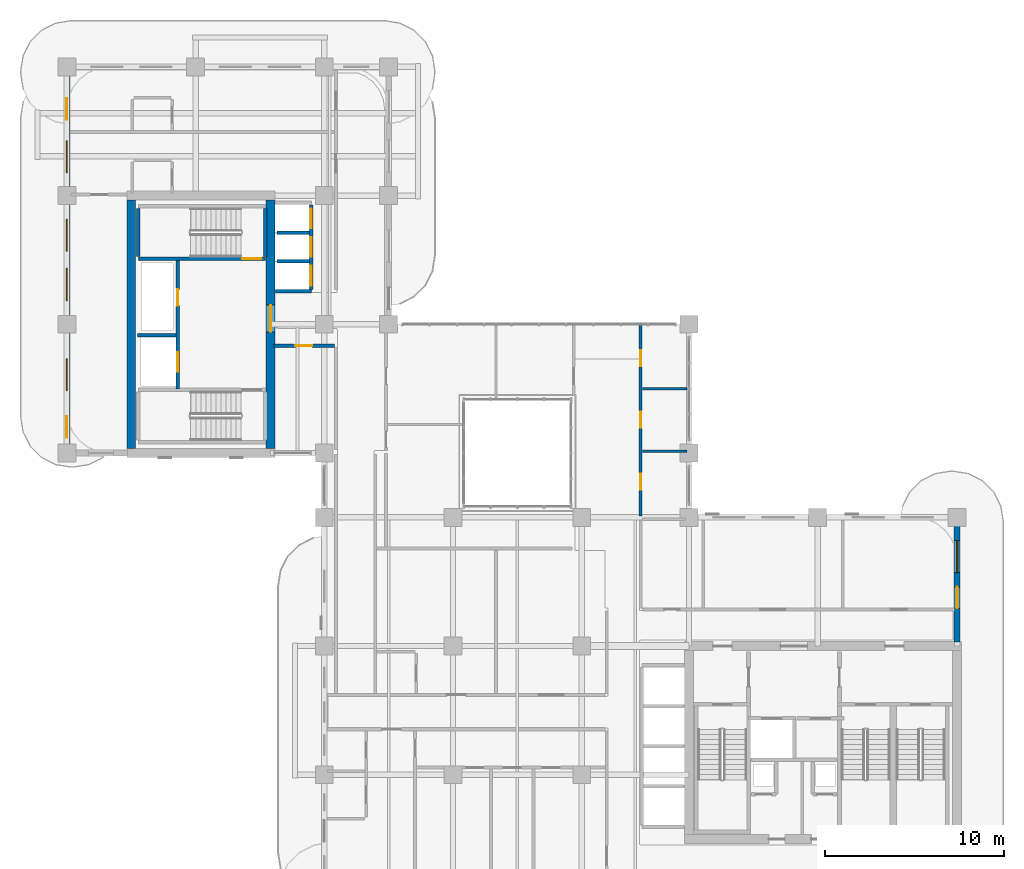
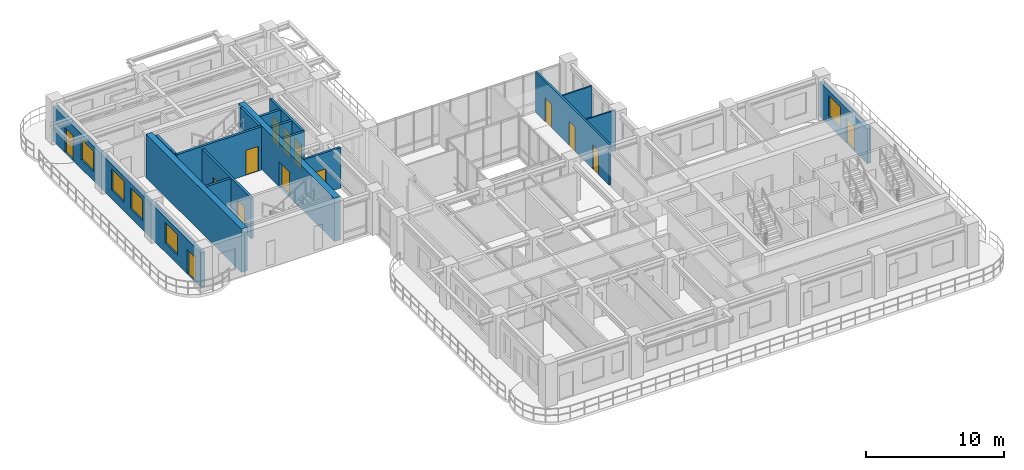
# One storey, part 14 of 20: 17 walls, 14 doors, 5 windows, 19 openings.
"""IFC4 building model written with IfcOpenShell, lengths in metres."""

from ifc_helpers import new_model, si_unit, derived_unit, direction, frame, frame_2d, origin, place, context, subcontext, project, spatial, rectangle, extrude, source, transform, mapped, material, layer, layer_set, type_object, type_shapes, element, fill, save


model = new_model("IFC4")

# Units and contexts
model_context = context("Model", 3, precision=1e-05, world=origin(), true_north=direction((0.0, 1.0)))
body_context = subcontext(model_context, "Body", "Model", "MODEL_VIEW")
ifc_project = project(units=[si_unit("LENGTHUNIT", "METRE"), si_unit("AREAUNIT", "SQUARE_METRE"), si_unit("VOLUMEUNIT", "CUBIC_METRE"), si_unit("PLANEANGLEUNIT", "RADIAN"), si_unit("MASSUNIT", "GRAM", prefix="KILO"), si_unit("THERMODYNAMICTEMPERATUREUNIT", "KELVIN"), si_unit("POWERUNIT", "WATT"), derived_unit("THERMALTRANSMITTANCEUNIT", [(si_unit("POWERUNIT", "WATT"), 1), (si_unit("AREAUNIT", "SQUARE_METRE"), -1), (si_unit("THERMODYNAMICTEMPERATUREUNIT", "KELVIN"), -1)])], contexts=[model_context])

# Site, building, storey
site_placement = place(None, origin())
site = spatial("IfcSite", under=ifc_project, at=site_placement, CompositionType="ELEMENT")
building_placement = place(site_placement, origin())
building = spatial("IfcBuilding", under=site, at=building_placement, Name="Zahravan Archway Hotel and Residences", CompositionType="ELEMENT")
storey_placement = place(building_placement, frame((0.0, 0.0, 177.25)))
storey = spatial("IfcBuildingStorey", under=building, at=storey_placement, Name="L44", CompositionType="ELEMENT", Elevation=177.25)

# Wall
ifc_material_1 = material(Name="Concrete C60/75", Category="concrete")
ifc_layer_1 = layer(ifc_material_1, 0.5, Name="Concrete C60/75", Category="concrete")
ifc_layer_set_1 = layer_set([ifc_layer_1], Name="Concrete C60/75")
wall_type_1 = type_object("IfcWallType", Name="CW-CORE-500", PredefinedType="SHEAR", material=ifc_layer_set_1)
wall_1_placement = place(storey_placement, frame((3.60009765625, 25.449951171875, 0.0), z_axis=(0.0, 0.0, 1.0), x_axis=(0.0, 1.0, 0.0)))
element("IfcWall", 1, at=wall_1_placement, inside=storey, type_object=wall_type_1, Name="L44 Core B Shear W Wall 500 mm", PredefinedType="SHEAR", context=body_context, shape_type="SweptSolid", body=[
    extrude(rectangle(XDim=13.900146484375, YDim=0.5, at=frame_2d((6.9501953125, 0.0))), origin(), (0.0, 0.0, 1.0), 3.85009765625),
])

# Wall, opening, door
wall_2_placement = place(storey_placement, frame((11.39990234375, 25.449951171875, 0.0), z_axis=(0.0, 0.0, 1.0), x_axis=(0.0, 1.0, 0.0)))
wall_2 = element("IfcWall", 2, at=wall_2_placement, inside=storey, type_object=wall_type_1, Name="L44 Core B Shear E Wall 500 mm", PredefinedType="SHEAR", context=body_context, shape_type="SweptSolid", body=[
    extrude(rectangle(XDim=13.900146484375, YDim=0.5, at=frame_2d((6.9501953125, 0.0))), origin(), (0.0, 0.0, 1.0), 3.85009765625),
])
opening_1_placement = place(wall_2_placement, frame((6.52001953125, 0.0, 0.0)))
opening_1 = element("IfcOpeningElement", 3, at=opening_1_placement, cuts=wall_2, Name="Opening FD-L1", PredefinedType="OPENING", context=body_context, shape_type="SweptSolid", body=[
    extrude(rectangle(XDim=1.5, YDim=2.199951171875, at=frame_2d((0.75, 1.10009765625))), frame((0.0, 0.260009765625, 0.0), z_axis=(0.0, -1.0, 0.0), x_axis=(1.0, 0.0, 0.0)), (0.0, 0.0, 1.0), 0.52001953125),
])
ifc_material_2 = material(Name="Fire-Rated Painted Steel", Category="steel")
door_type_1 = type_object("IfcDoorType", Name="FD-LOBBY-1500", OperationType="DOUBLE_DOOR_SINGLE_SWING", PredefinedType="DOOR", material=ifc_material_2)
shared_shape_1 = source(origin(), body_context, "Body", "SweptSolid", [
    extrude(rectangle(XDim=1.5, YDim=2.199951171875, at=frame_2d((0.75, 1.10009765625))), frame((0.0, 0.02490234375, 0.0), z_axis=(0.0, -1.0, 0.0), x_axis=(1.0, 0.0, 0.0)), (0.0, 0.0, 1.0), 0.050048828125),
])
type_shapes(door_type_1, [shared_shape_1])
door_1_placement = place(opening_1_placement, origin())
door_1 = element("IfcDoor", 4, at=door_1_placement, inside=storey, type_object=door_type_1, Name="L44 Core B FSAE Lobby Door", OperationType="DOUBLE_DOOR_SINGLE_SWING", OverallHeight=2.199951171875, OverallWidth=1.5, PredefinedType="DOOR", context=body_context, shape_type="MappedRepresentation", body=[
    mapped(shared_shape_1, transform((0.0, 0.0, 0.0), scale=1.0)),
])
fill(opening_1, door_1)

# Wall, openings, door, window
ifc_material_3 = material(Name="Agra Buff Sandstone & Insulated Backup", Category="masonry")
ifc_layer_2 = layer(ifc_material_3, 0.320068359375, Name="Agra Buff Sandstone & Insulated Backup", Category="masonry")
ifc_layer_set_2 = layer_set([ifc_layer_2], Name="Agra Buff Sandstone & Insulated Backup")
wall_type_2 = type_object("IfcWallType", Name="EW-SAND-320", PredefinedType="SOLIDWALL", material=ifc_layer_set_2)
wall_3_placement = place(storey_placement, frame((49.800048828125, 14.6201171875, 0.0), z_axis=(0.0, 0.0, 1.0), x_axis=(0.0, 1.0, 0.0)))
wall_3 = element("IfcWall", 5, at=wall_3_placement, inside=storey, type_object=wall_type_2, Name="L44 Exterior Sandstone Wall WA-EN", PredefinedType="SOLIDWALL", context=body_context, shape_type="SweptSolid", body=[
    extrude(rectangle(XDim=6.929931640625, YDim=0.320068359375, at=frame_2d((3.46484375, 0.0))), origin(), (0.0, 0.0, 1.0), 3.0849609375),
])
opening_2_placement = place(wall_3_placement, frame((1.888916015625, 0.0, 0.0)))
opening_2 = element("IfcOpeningElement", 6, at=opening_2_placement, cuts=wall_3, Name="Opening ED-BL1", PredefinedType="OPENING", context=body_context, shape_type="SweptSolid", body=[
    extrude(rectangle(XDim=1.199951171875, YDim=2.199951171875, at=frame_2d((0.60009765625, 1.10009765625))), frame((0.0, 0.169921875, 0.0), z_axis=(0.0, -1.0, 0.0), x_axis=(1.0, 0.0, 0.0)), (0.0, 0.0, 1.0), 0.340087890625),
])
opening_3_placement = place(wall_3_placement, frame((3.884033203125, 0.0, 0.800048828125)))
opening_3 = element("IfcOpeningElement", 7, at=opening_3_placement, cuts=wall_3, Name="Opening W-02", PredefinedType="OPENING", context=body_context, shape_type="SweptSolid", body=[
    extrude(rectangle(XDim=1.800048828125, YDim=1.85009765625, at=frame_2d((0.89990234375, 0.925048828125))), frame((0.0, 0.169921875, 0.0), z_axis=(0.0, -1.0, 0.0), x_axis=(1.0, 0.0, 0.0)), (0.0, 0.0, 1.0), 0.340087890625),
])
ifc_material_4 = material(Name="Bronze-Anodized Glazed Aluminium", Category="aluminium")
door_type_2 = type_object("IfcDoorType", Name="ED-BALC-1200", OperationType="SLIDING_TO_LEFT", PredefinedType="DOOR", material=ifc_material_4)
shared_shape_2 = source(origin(), body_context, "Body", "SweptSolid", [
    extrude(rectangle(XDim=1.199951171875, YDim=2.199951171875, at=frame_2d((0.60009765625, 1.10009765625))), frame((0.0, 0.02490234375, 0.0), z_axis=(0.0, -1.0, 0.0), x_axis=(1.0, 0.0, 0.0)), (0.0, 0.0, 1.0), 0.050048828125),
])
type_shapes(door_type_2, [shared_shape_2])
door_2_placement = place(opening_2_placement, origin())
door_2 = element("IfcDoor", 8, at=door_2_placement, inside=storey, type_object=door_type_2, Name="L44 Outdoor Access Sliding Door (SLB-BAL-L44-EA)", OperationType="SLIDING_TO_LEFT", OverallHeight=2.199951171875, OverallWidth=1.199951171875, PredefinedType="DOOR", context=body_context, shape_type="MappedRepresentation", body=[
    mapped(shared_shape_2, transform((0.0, 0.0, 0.0), scale=1.0)),
])
fill(opening_2, door_2)
ifc_material_5 = material(Name="Bronze-Anodized Thermal-Break Aluminium & Low-E Glass", Category="aluminium")
window_type = type_object("IfcWindowType", Name="WIN-TWR-1800", PartitioningType="DOUBLE_PANEL_VERTICAL", PredefinedType="WINDOW", material=ifc_material_5)
shared_shape_3 = source(origin(), body_context, "Body", "SweptSolid", [
    extrude(rectangle(XDim=1.800048828125, YDim=1.85009765625, at=frame_2d((0.89990234375, 0.925048828125))), frame((0.0, 0.030029296875, 0.0), z_axis=(0.0, -1.0, 0.0), x_axis=(1.0, 0.0, 0.0)), (0.0, 0.0, 1.0), 0.06005859375),
])
type_shapes(window_type, [shared_shape_3])
window_1_placement = place(opening_3_placement, origin())
window_1 = element("IfcWindow", 9, at=window_1_placement, inside=storey, type_object=window_type, Name="L44 Loggia Window 11", OverallHeight=1.85009765625, OverallWidth=1.800048828125, PartitioningType="DOUBLE_PANEL_VERTICAL", PredefinedType="WINDOW", context=body_context, shape_type="MappedRepresentation", body=[
    mapped(shared_shape_3, transform((0.0, 0.0, 0.0), scale=1.0)),
])
fill(opening_3, window_1)

# Wall, openings, doors, windows
wall_4_placement = place(storey_placement, frame((0.0, 25.25, 0.0), z_axis=(0.0, 0.0, 1.0), x_axis=(0.0, 1.0, 0.0)))
wall_4 = element("IfcWall", 10, at=wall_4_placement, inside=storey, type_object=wall_type_2, Name="L44 Exterior Sandstone Wall WB-W", PredefinedType="SOLIDWALL", context=body_context, shape_type="SweptSolid", body=[
    extrude(rectangle(XDim=21.5, YDim=0.320068359375, at=frame_2d((10.75, 0.0))), origin(), (0.0, 0.0, 1.0), 3.0849609375),
])
opening_4_placement = place(wall_4_placement, frame((18.60693359375, 0.0, 0.0)))
opening_4 = element("IfcOpeningElement", 11, at=opening_4_placement, cuts=wall_4, Name="Opening ED-BL1", PredefinedType="OPENING", context=body_context, shape_type="SweptSolid", body=[
    extrude(rectangle(XDim=1.199951171875, YDim=2.199951171875, at=frame_2d((0.60009765625, 1.10009765625))), frame((0.0, 0.169921875, 0.0), z_axis=(0.0, -1.0, 0.0), x_axis=(1.0, 0.0, 0.0)), (0.0, 0.0, 1.0), 0.340087890625),
])
opening_5_placement = place(wall_4_placement, frame((0.800048828125, 0.0, 0.0)))
opening_5 = element("IfcOpeningElement", 12, at=opening_5_placement, cuts=wall_4, Name="Opening ED-BL1", PredefinedType="OPENING", context=body_context, shape_type="SweptSolid", body=[
    extrude(rectangle(XDim=1.199951171875, YDim=2.199951171875, at=frame_2d((0.60009765625, 1.10009765625))), frame((0.0, 0.169921875, 0.0), z_axis=(0.0, -1.0, 0.0), x_axis=(1.0, 0.0, 0.0)), (0.0, 0.0, 1.0), 0.340087890625),
])
opening_6_placement = place(wall_4_placement, frame((3.425048828125, 0.0, 0.800048828125)))
opening_6 = element("IfcOpeningElement", 13, at=opening_6_placement, cuts=wall_4, Name="Opening W-02", PredefinedType="OPENING", context=body_context, shape_type="SweptSolid", body=[
    extrude(rectangle(XDim=1.800048828125, YDim=1.85009765625, at=frame_2d((0.89990234375, 0.925048828125))), frame((0.0, 0.169921875, 0.0), z_axis=(0.0, -1.0, 0.0), x_axis=(1.0, 0.0, 0.0)), (0.0, 0.0, 1.0), 0.340087890625),
])
opening_7_placement = place(wall_4_placement, frame((8.47509765625, 0.0, 0.800048828125)))
opening_7 = element("IfcOpeningElement", 14, at=opening_7_placement, cuts=wall_4, Name="Opening W-02", PredefinedType="OPENING", context=body_context, shape_type="SweptSolid", body=[
    extrude(rectangle(XDim=1.800048828125, YDim=1.85009765625, at=frame_2d((0.89990234375, 0.925048828125))), frame((0.0, 0.169921875, 0.0), z_axis=(0.0, -1.0, 0.0), x_axis=(1.0, 0.0, 0.0)), (0.0, 0.0, 1.0), 0.340087890625),
])
opening_8_placement = place(wall_4_placement, frame((11.22509765625, 0.0, 0.800048828125)))
opening_8 = element("IfcOpeningElement", 15, at=opening_8_placement, cuts=wall_4, Name="Opening W-02", PredefinedType="OPENING", context=body_context, shape_type="SweptSolid", body=[
    extrude(rectangle(XDim=1.800048828125, YDim=1.85009765625, at=frame_2d((0.89990234375, 0.925048828125))), frame((0.0, 0.169921875, 0.0), z_axis=(0.0, -1.0, 0.0), x_axis=(1.0, 0.0, 0.0)), (0.0, 0.0, 1.0), 0.340087890625),
])
opening_9_placement = place(wall_4_placement, frame((15.62109375, 0.0, 0.800048828125)))
opening_9 = element("IfcOpeningElement", 16, at=opening_9_placement, cuts=wall_4, Name="Opening W-02", PredefinedType="OPENING", context=body_context, shape_type="SweptSolid", body=[
    extrude(rectangle(XDim=1.800048828125, YDim=1.85009765625, at=frame_2d((0.89990234375, 0.925048828125))), frame((0.0, 0.169921875, 0.0), z_axis=(0.0, -1.0, 0.0), x_axis=(1.0, 0.0, 0.0)), (0.0, 0.0, 1.0), 0.340087890625),
])
door_3_placement = place(opening_4_placement, origin())
door_3 = element("IfcDoor", 17, at=door_3_placement, inside=storey, type_object=door_type_2, Name="L44 Outdoor Access Sliding Door (SLB-BAL-L44-NB)", OperationType="SLIDING_TO_LEFT", OverallHeight=2.199951171875, OverallWidth=1.199951171875, PredefinedType="DOOR", context=body_context, shape_type="MappedRepresentation", body=[
    mapped(shared_shape_2, transform((0.0, 0.0, 0.0), scale=1.0)),
])
fill(opening_4, door_3)
door_4_placement = place(opening_5_placement, origin())
door_4 = element("IfcDoor", 18, at=door_4_placement, inside=storey, type_object=door_type_2, Name="L44 Outdoor Access Sliding Door (SLB-BAL-L44-WB)", OperationType="SLIDING_TO_LEFT", OverallHeight=2.199951171875, OverallWidth=1.199951171875, PredefinedType="DOOR", context=body_context, shape_type="MappedRepresentation", body=[
    mapped(shared_shape_2, transform((0.0, 0.0, 0.0), scale=1.0)),
])
fill(opening_5, door_4)
window_2_placement = place(opening_6_placement, origin())
window_2 = element("IfcWindow", 19, at=window_2_placement, inside=storey, type_object=window_type, Name="L44 Loggia Window 23", OverallHeight=1.85009765625, OverallWidth=1.800048828125, PartitioningType="DOUBLE_PANEL_VERTICAL", PredefinedType="WINDOW", context=body_context, shape_type="MappedRepresentation", body=[
    mapped(shared_shape_3, transform((0.0, 0.0, 0.0), scale=1.0)),
])
fill(opening_6, window_2)
window_3_placement = place(opening_7_placement, origin())
window_3 = element("IfcWindow", 20, at=window_3_placement, inside=storey, type_object=window_type, Name="L44 Loggia Window 24", OverallHeight=1.85009765625, OverallWidth=1.800048828125, PartitioningType="DOUBLE_PANEL_VERTICAL", PredefinedType="WINDOW", context=body_context, shape_type="MappedRepresentation", body=[
    mapped(shared_shape_3, transform((0.0, 0.0, 0.0), scale=1.0)),
])
fill(opening_7, window_3)
window_4_placement = place(opening_8_placement, origin())
window_4 = element("IfcWindow", 21, at=window_4_placement, inside=storey, type_object=window_type, Name="L44 Loggia Window 25", OverallHeight=1.85009765625, OverallWidth=1.800048828125, PartitioningType="DOUBLE_PANEL_VERTICAL", PredefinedType="WINDOW", context=body_context, shape_type="MappedRepresentation", body=[
    mapped(shared_shape_3, transform((0.0, 0.0, 0.0), scale=1.0)),
])
fill(opening_8, window_4)
window_5_placement = place(opening_9_placement, origin())
window_5 = element("IfcWindow", 22, at=window_5_placement, inside=storey, type_object=window_type, Name="L44 Loggia Window 26", OverallHeight=1.85009765625, OverallWidth=1.800048828125, PartitioningType="DOUBLE_PANEL_VERTICAL", PredefinedType="WINDOW", context=body_context, shape_type="MappedRepresentation", body=[
    mapped(shared_shape_3, transform((0.0, 0.0, 0.0), scale=1.0)),
])
fill(opening_9, window_5)

# Walls
ifc_material_6 = material(Name="Acoustic Stud Partition")
ifc_layer_3 = layer(ifc_material_6, 0.125, Name="Acoustic Stud Partition")
ifc_layer_set_3 = layer_set([ifc_layer_3], Name="Acoustic Stud Partition")
wall_type_3 = type_object("IfcWallType", Name="PW-INT-125", PredefinedType="PARTITIONING", material=ifc_layer_set_3)
for number, where, z_axis, x_axis, name in (
    (23, (32.18994140625, 25.300048828125, 0.0), (0.0, 0.0, 1.0), (1.0, 0.0, 0.0), "L44 Partition ATR-EM3A"),
    (24, (32.18994140625, 28.800048828125, 0.0), (0.0, 0.0, 1.0), (1.0, 0.0, 0.0), "L44 Partition ATR-EM3B"),
):
    element("IfcWall", number, at=place(storey_placement, frame(where, z_axis=z_axis, x_axis=x_axis)), inside=storey, type_object=wall_type_3, Name=name, PredefinedType="PARTITIONING", context=body_context, shape_type="SweptSolid", body=[
        extrude(rectangle(XDim=2.5, YDim=0.125, at=frame_2d((1.25, 0.0))), origin(), (0.0, 0.0, 1.0), 3.60009765625),
    ])

# Wall, openings, doors
ifc_material_7 = material(Name="Fire-Rated Gypsum & Concrete Block", Category="concrete")
ifc_layer_4 = layer(ifc_material_7, 0.199951171875, Name="Fire-Rated Gypsum & Concrete Block", Category="concrete")
ifc_layer_set_4 = layer_set([ifc_layer_4], Name="Fire-Rated Gypsum & Concrete Block")
wall_type_4 = type_object("IfcWallType", Name="PW-SHAFT-200", PredefinedType="PARTITIONING", material=ifc_layer_set_4)
wall_5_placement = place(storey_placement, frame((6.199951171875, 28.7900390625, 0.0), z_axis=(0.0, 0.0, 1.0), x_axis=(0.0, 1.0, 0.0)))
wall_5 = element("IfcWall", 25, at=wall_5_placement, inside=storey, type_object=wall_type_4, Name="L44 Partition CB-FL3E", PredefinedType="PARTITIONING", context=body_context, shape_type="SweptSolid", body=[
    extrude(rectangle(XDim=7.219970703125, YDim=0.199951171875, at=frame_2d((3.60986328125, 0.0))), origin(), (0.0, 0.0, 1.0), 3.60009765625),
])
opening_10_placement = place(wall_5_placement, frame((4.659912109375, 0.0, 0.0)))
opening_10 = element("IfcOpeningElement", 26, at=opening_10_placement, cuts=wall_5, Name="Opening FD-R1", PredefinedType="OPENING", context=body_context, shape_type="SweptSolid", body=[
    extrude(rectangle(XDim=0.89990234375, YDim=2.10009765625, at=frame_2d((0.449951171875, 1.050048828125))), frame((0.0, 0.10986328125, 0.0), z_axis=(0.0, -1.0, 0.0), x_axis=(1.0, 0.0, 0.0)), (0.0, 0.0, 1.0), 0.219970703125),
])
opening_11_placement = place(wall_5_placement, frame((0.9599609375, 0.0, 0.0)))
opening_11 = element("IfcOpeningElement", 27, at=opening_11_placement, cuts=wall_5, Name="Opening LD", PredefinedType="OPENING", context=body_context, shape_type="SweptSolid", body=[
    extrude(rectangle(XDim=1.10009765625, YDim=2.199951171875, at=frame_2d((0.550048828125, 1.10009765625))), frame((0.0, 0.10986328125, 0.0), z_axis=(0.0, -1.0, 0.0), x_axis=(1.0, 0.0, 0.0)), (0.0, 0.0, 1.0), 0.219970703125),
])
door_type_3 = type_object("IfcDoorType", Name="FD-RISER-900", OperationType="NOTDEFINED", PredefinedType="DOOR", material=ifc_material_2)
shared_shape_4 = source(origin(), body_context, "Body", "SweptSolid", [
    extrude(rectangle(XDim=0.89990234375, YDim=2.10009765625, at=frame_2d((0.449951171875, 1.050048828125))), frame((0.0, 0.02490234375, 0.0), z_axis=(0.0, -1.0, 0.0), x_axis=(1.0, 0.0, 0.0)), (0.0, 0.0, 1.0), 0.050048828125),
])
type_shapes(door_type_3, [shared_shape_4])
door_5_placement = place(opening_10_placement, origin())
door_5 = element("IfcDoor", 28, at=door_5_placement, inside=storey, type_object=door_type_3, Name="L44 Core B Riser Door", OperationType="SINGLE_SWING_LEFT", OverallHeight=2.10009765625, OverallWidth=0.89990234375, PredefinedType="DOOR", context=body_context, shape_type="MappedRepresentation", body=[
    mapped(shared_shape_4, transform((0.0, 0.0, 0.0), scale=1.0)),
])
fill(opening_10, door_5)
ifc_material_8 = material(Name="Brushed Stainless Steel", Category="steel")
door_type_4 = type_object("IfcDoorType", Name="DR-LIFT-LD", OperationType="SLIDING_TO_LEFT", PredefinedType="DOOR", material=ifc_material_8)
shared_shape_5 = source(origin(), body_context, "Body", "SweptSolid", [
    extrude(rectangle(XDim=1.10009765625, YDim=2.199951171875, at=frame_2d((0.550048828125, 1.10009765625))), frame((0.0, 0.02490234375, 0.0), z_axis=(0.0, -1.0, 0.0), x_axis=(1.0, 0.0, 0.0)), (0.0, 0.0, 1.0), 0.050048828125),
])
type_shapes(door_type_4, [shared_shape_5])
door_6_placement = place(opening_11_placement, origin())
door_6 = element("IfcDoor", 29, at=door_6_placement, inside=storey, type_object=door_type_4, Name="L44 Lift FL-3 Sliding Landing Door", OperationType="SLIDING_TO_LEFT", OverallHeight=2.199951171875, OverallWidth=1.10009765625, PredefinedType="DOOR", context=body_context, shape_type="MappedRepresentation", body=[
    mapped(shared_shape_5, transform((0.0, 0.0, 0.0), scale=1.0)),
])
fill(opening_11, door_6)

# Walls
wall_6_placement = place(storey_placement, frame((3.9599609375, 31.780029296875, 0.0), z_axis=(0.0, 0.0, 1.0), x_axis=(1.0, 0.0, 0.0)))
element("IfcWall", 30, at=wall_6_placement, inside=storey, type_object=wall_type_4, Name="L44 Partition CB-FL3N", PredefinedType="PARTITIONING", context=body_context, shape_type="SweptSolid", body=[
    extrude(rectangle(XDim=2.130126953125, YDim=0.199951171875, at=frame_2d((1.06494140625, 0.0))), origin(), (0.0, 0.0, 1.0), 3.60009765625),
])
wall_7_placement = place(storey_placement, frame((11.659912109375, 34.25, 0.0), z_axis=(0.0, 0.0, 1.0), x_axis=(1.0, 0.0, 0.0)))
element("IfcWall", 31, at=wall_7_placement, inside=storey, type_object=wall_type_4, Name="L44 Partition B2-S", PredefinedType="PARTITIONING", context=body_context, shape_type="SweptSolid", body=[
    extrude(rectangle(XDim=2.010009765625, YDim=0.199951171875, at=frame_2d((1.0048828125, 0.0))), origin(), (0.0, 0.0, 1.0), 3.60009765625),
])

# Wall, openings, doors
wall_8_placement = place(storey_placement, frame((13.679931640625, 34.360107421875, 0.0), z_axis=(0.0, 0.0, 1.0), x_axis=(0.0, 1.0, 0.0)))
wall_8 = element("IfcWall", 32, at=wall_8_placement, inside=storey, type_object=wall_type_4, Name="L44 Partition B2-E", PredefinedType="PARTITIONING", context=body_context, shape_type="SweptSolid", body=[
    extrude(rectangle(XDim=4.719970703125, YDim=0.199951171875, at=frame_2d((2.35986328125, 0.0))), origin(), (0.0, 0.0, 1.0), 3.60009765625),
])
opening_12_placement = place(wall_8_placement, frame((0.2099609375, 0.0, 0.0)))
opening_12 = element("IfcOpeningElement", 33, at=opening_12_placement, cuts=wall_8, Name="Opening LD", PredefinedType="OPENING", context=body_context, shape_type="SweptSolid", body=[
    extrude(rectangle(XDim=1.10009765625, YDim=2.199951171875, at=frame_2d((0.550048828125, 1.10009765625))), frame((0.0, 0.10986328125, 0.0), z_axis=(0.0, -1.0, 0.0), x_axis=(1.0, 0.0, 0.0)), (0.0, 0.0, 1.0), 0.219970703125),
])
opening_13_placement = place(wall_8_placement, frame((1.81005859375, 0.0, 0.0)))
opening_13 = element("IfcOpeningElement", 34, at=opening_13_placement, cuts=wall_8, Name="Opening LD", PredefinedType="OPENING", context=body_context, shape_type="SweptSolid", body=[
    extrude(rectangle(XDim=1.10009765625, YDim=2.199951171875, at=frame_2d((0.550048828125, 1.10009765625))), frame((0.0, 0.10986328125, 0.0), z_axis=(0.0, -1.0, 0.0), x_axis=(1.0, 0.0, 0.0)), (0.0, 0.0, 1.0), 0.219970703125),
])
opening_14_placement = place(wall_8_placement, frame((3.409912109375, 0.0, 0.0)))
opening_14 = element("IfcOpeningElement", 35, at=opening_14_placement, cuts=wall_8, Name="Opening LD", PredefinedType="OPENING", context=body_context, shape_type="SweptSolid", body=[
    extrude(rectangle(XDim=1.10009765625, YDim=2.199951171875, at=frame_2d((0.550048828125, 1.10009765625))), frame((0.0, 0.10986328125, 0.0), z_axis=(0.0, -1.0, 0.0), x_axis=(1.0, 0.0, 0.0)), (0.0, 0.0, 1.0), 0.219970703125),
])
door_7_placement = place(opening_12_placement, origin())
door_7 = element("IfcDoor", 36, at=door_7_placement, inside=storey, type_object=door_type_4, Name="L44 Lift LP-4 Sliding Landing Door", OperationType="SLIDING_TO_LEFT", OverallHeight=2.199951171875, OverallWidth=1.10009765625, PredefinedType="DOOR", context=body_context, shape_type="MappedRepresentation", body=[
    mapped(shared_shape_5, transform((0.0, 0.0, 0.0), scale=1.0)),
])
fill(opening_12, door_7)
door_8_placement = place(opening_13_placement, origin())
door_8 = element("IfcDoor", 37, at=door_8_placement, inside=storey, type_object=door_type_4, Name="L44 Lift LP-5 Sliding Landing Door", OperationType="SLIDING_TO_LEFT", OverallHeight=2.199951171875, OverallWidth=1.10009765625, PredefinedType="DOOR", context=body_context, shape_type="MappedRepresentation", body=[
    mapped(shared_shape_5, transform((0.0, 0.0, 0.0), scale=1.0)),
])
fill(opening_13, door_8)
door_9_placement = place(opening_14_placement, origin())
door_9 = element("IfcDoor", 38, at=door_9_placement, inside=storey, type_object=door_type_4, Name="L44 Lift LP-6 Sliding Landing Door", OperationType="SLIDING_TO_LEFT", OverallHeight=2.199951171875, OverallWidth=1.10009765625, PredefinedType="DOOR", context=body_context, shape_type="MappedRepresentation", body=[
    mapped(shared_shape_5, transform((0.0, 0.0, 0.0), scale=1.0)),
])
fill(opening_14, door_9)

# Walls
for number, where, z_axis, x_axis, name in (
    (39, (11.760009765625, 35.919921875, 0.0), (0.0, 0.0, 1.0), (1.0, 0.0, 0.0), "L44 Partition B2-D"),
    (40, (11.760009765625, 37.52001953125, 0.0), (0.0, 0.0, 1.0), (1.0, 0.0, 0.0), "L44 Partition B2-D"),
):
    element("IfcWall", number, at=place(storey_placement, frame(where, z_axis=z_axis, x_axis=x_axis)), inside=storey, type_object=wall_type_4, Name=name, PredefinedType="PARTITIONING", context=body_context, shape_type="SweptSolid", body=[
        extrude(rectangle(XDim=1.81005859375, YDim=0.199951171875, at=frame_2d((0.905029296875, 0.0))), origin(), (0.0, 0.0, 1.0), 3.60009765625),
    ])

# Wall, opening, door
ifc_layer_5 = layer(ifc_material_6, 0.169921875, Name="Acoustic Stud Partition")
ifc_layer_set_5 = layer_set([ifc_layer_5], Name="Acoustic Stud Partition")
wall_type_5 = type_object("IfcWallType", Name="PW-UNIT-170", PredefinedType="PARTITIONING", material=ifc_layer_set_5)
wall_9_placement = place(storey_placement, frame((11.590087890625, 31.199951171875, 0.0), z_axis=(0.0, 0.0, 1.0), x_axis=(1.0, 0.0, 0.0)))
wall_9 = element("IfcWall", 41, at=wall_9_placement, inside=storey, type_object=wall_type_5, Name="L44 Partition FB1-N", PredefinedType="PARTITIONING", context=body_context, shape_type="SweptSolid", body=[
    extrude(rectangle(XDim=3.369873046875, YDim=0.169921875, at=frame_2d((1.68505859375, 0.0))), origin(), (0.0, 0.0, 1.0), 3.60009765625),
])
opening_15_placement = place(wall_9_placement, frame((1.18505859375, 0.0, 0.0)))
opening_15 = element("IfcOpeningElement", 42, at=opening_15_placement, cuts=wall_9, Name="Opening D-I1", PredefinedType="OPENING", context=body_context, shape_type="SweptSolid", body=[
    extrude(rectangle(XDim=0.949951171875, YDim=2.14990234375, at=frame_2d((0.47509765625, 1.074951171875))), frame((0.0, 0.094970703125, 0.0), z_axis=(0.0, -1.0, 0.0), x_axis=(1.0, 0.0, 0.0)), (0.0, 0.0, 1.0), 0.18994140625),
])
ifc_material_9 = material(Name="Hardwood Veneer Timber", Category="wood")
door_type_5 = type_object("IfcDoorType", Name="ID-INT-950", OperationType="NOTDEFINED", PredefinedType="DOOR", material=ifc_material_9)
shared_shape_6 = source(origin(), body_context, "Body", "SweptSolid", [
    extrude(rectangle(XDim=0.949951171875, YDim=2.14990234375, at=frame_2d((0.47509765625, 1.074951171875))), frame((0.0, 0.02490234375, 0.0), z_axis=(0.0, -1.0, 0.0), x_axis=(1.0, 0.0, 0.0)), (0.0, 0.0, 1.0), 0.050048828125),
])
type_shapes(door_type_5, [shared_shape_6])
door_10_placement = place(opening_15_placement, origin())
door_10 = element("IfcDoor", 43, at=door_10_placement, inside=storey, type_object=door_type_5, Name="L44 Freed Bank 1 Reading Salon Door", OperationType="SINGLE_SWING_LEFT", OverallHeight=2.14990234375, OverallWidth=0.949951171875, PredefinedType="DOOR", context=body_context, shape_type="MappedRepresentation", body=[
    mapped(shared_shape_6, transform((0.0, 0.0, 0.0), scale=1.0)),
])
fill(opening_15, door_10)

# Wall, openings, doors
wall_10_placement = place(storey_placement, frame((32.10009765625, 21.669921875, 0.0), z_axis=(0.0, 0.0, 1.0), x_axis=(0.0, 1.0, 0.0)))
wall_10 = element("IfcWall", 44, at=wall_10_placement, inside=storey, type_object=wall_type_5, Name="L44 Partition ATR-E", PredefinedType="PARTITIONING", context=body_context, shape_type="SweptSolid", body=[
    extrude(rectangle(XDim=10.7021484375, YDim=0.169921875, at=frame_2d((5.35107421875, 0.0))), origin(), (0.0, 0.0, 1.0), 3.60009765625),
])
opening_16_placement = place(wall_10_placement, frame((1.47998046875, 0.0, 0.0)))
opening_16 = element("IfcOpeningElement", 45, at=opening_16_placement, cuts=wall_10, Name="Opening D-I2", PredefinedType="OPENING", context=body_context, shape_type="SweptSolid", body=[
    extrude(rectangle(XDim=0.89990234375, YDim=2.14990234375, at=frame_2d((0.449951171875, 1.074951171875))), frame((0.0, 0.094970703125, 0.0), z_axis=(0.0, -1.0, 0.0), x_axis=(1.0, 0.0, 0.0)), (0.0, 0.0, 1.0), 0.18994140625),
])
opening_17_placement = place(wall_10_placement, frame((4.929931640625, 0.0, 0.0)))
opening_17 = element("IfcOpeningElement", 46, at=opening_17_placement, cuts=wall_10, Name="Opening D-I2", PredefinedType="OPENING", context=body_context, shape_type="SweptSolid", body=[
    extrude(rectangle(XDim=0.89990234375, YDim=2.14990234375, at=frame_2d((0.449951171875, 1.074951171875))), frame((0.0, 0.094970703125, 0.0), z_axis=(0.0, -1.0, 0.0), x_axis=(1.0, 0.0, 0.0)), (0.0, 0.0, 1.0), 0.18994140625),
])
opening_18_placement = place(wall_10_placement, frame((8.3798828125, 0.0, 0.0)))
opening_18 = element("IfcOpeningElement", 47, at=opening_18_placement, cuts=wall_10, Name="Opening D-I2", PredefinedType="OPENING", context=body_context, shape_type="SweptSolid", body=[
    extrude(rectangle(XDim=0.89990234375, YDim=2.14990234375, at=frame_2d((0.449951171875, 1.074951171875))), frame((0.0, 0.094970703125, 0.0), z_axis=(0.0, -1.0, 0.0), x_axis=(1.0, 0.0, 0.0)), (0.0, 0.0, 1.0), 0.18994140625),
])
door_type_6 = type_object("IfcDoorType", Name="ID-INT-900", OperationType="NOTDEFINED", PredefinedType="DOOR", material=ifc_material_9)
shared_shape_7 = source(origin(), body_context, "Body", "SweptSolid", [
    extrude(rectangle(XDim=0.89990234375, YDim=2.14990234375, at=frame_2d((0.449951171875, 1.074951171875))), frame((0.0, 0.02490234375, 0.0), z_axis=(0.0, -1.0, 0.0), x_axis=(1.0, 0.0, 0.0)), (0.0, 0.0, 1.0), 0.050048828125),
])
type_shapes(door_type_6, [shared_shape_7])
door_11_placement = place(opening_16_placement, origin())
door_11 = element("IfcDoor", 48, at=door_11_placement, inside=storey, type_object=door_type_6, Name="L44 Atrium Pantry Door", OperationType="SINGLE_SWING_RIGHT", OverallHeight=2.14990234375, OverallWidth=0.89990234375, PredefinedType="DOOR", context=body_context, shape_type="MappedRepresentation", body=[
    mapped(shared_shape_7, transform((0.0, 0.0, 0.0), scale=1.0)),
])
fill(opening_16, door_11)
door_12_placement = place(opening_17_placement, origin())
door_12 = element("IfcDoor", 49, at=door_12_placement, inside=storey, type_object=door_type_6, Name="L44 Atrium Study Door", OperationType="SINGLE_SWING_LEFT", OverallHeight=2.14990234375, OverallWidth=0.89990234375, PredefinedType="DOOR", context=body_context, shape_type="MappedRepresentation", body=[
    mapped(shared_shape_7, transform((0.0, 0.0, 0.0), scale=1.0)),
])
fill(opening_17, door_12)
door_13_placement = place(opening_18_placement, origin())
door_13 = element("IfcDoor", 50, at=door_13_placement, inside=storey, type_object=door_type_6, Name="L44 Atrium Clinic Door", OperationType="SINGLE_SWING_RIGHT", OverallHeight=2.14990234375, OverallWidth=0.89990234375, PredefinedType="DOOR", context=body_context, shape_type="MappedRepresentation", body=[
    mapped(shared_shape_7, transform((0.0, 0.0, 0.0), scale=1.0)),
])
fill(opening_18, door_13)

# Walls
ifc_material_10 = material(Name="Concrete C50/60", Category="concrete")
ifc_layer_6 = layer(ifc_material_10, 0.199951171875, Name="Concrete C50/60", Category="concrete")
ifc_layer_set_6 = layer_set([ifc_layer_6], Name="Concrete C50/60")
wall_type_6 = type_object("IfcWallType", Name="SW-STAIR-200", PredefinedType="SHEAR", material=ifc_layer_set_6)
for number, where, z_axis, x_axis, name in (
    (51, (4.0, 36.179931640625, 0.0), (0.0, 0.0, 1.0), (0.0, 1.0, 0.0), "L44 Stairwell RC Wall CB-SB2W"),
    (52, (11.10009765625, 36.179931640625, 0.0), (0.0, 0.0, 1.0), (0.0, 1.0, 0.0), "L44 Stairwell RC Wall CB-SB2E"),
):
    element("IfcWall", number, at=place(storey_placement, frame(where, z_axis=z_axis, x_axis=x_axis)), inside=storey, type_object=wall_type_6, Name=name, PredefinedType="SHEAR", context=body_context, shape_type="SweptSolid", body=[
        extrude(rectangle(XDim=2.699951171875, YDim=0.199951171875, at=frame_2d((1.35009765625, 0.0))), origin(), (0.0, 0.0, 1.0), 3.85009765625),
    ])

# Wall, opening, door
wall_11_placement = place(storey_placement, frame((4.0, 36.06005859375, 0.0), z_axis=(0.0, 0.0, 1.0), x_axis=(1.0, 0.0, 0.0)))
wall_11 = element("IfcWall", 53, at=wall_11_placement, inside=storey, type_object=wall_type_6, Name="L44 Stairwell RC Wall CB-SB2S", PredefinedType="SHEAR", context=body_context, shape_type="SweptSolid", body=[
    extrude(rectangle(XDim=7.10009765625, YDim=0.199951171875, at=frame_2d((3.550048828125, 0.0))), origin(), (0.0, 0.0, 1.0), 3.85009765625),
])
opening_19_placement = place(wall_11_placement, frame((5.81494140625, 0.0, 0.0)))
opening_19 = element("IfcOpeningElement", 54, at=opening_19_placement, cuts=wall_11, Name="Opening FD-S1", PredefinedType="OPENING", context=body_context, shape_type="SweptSolid", body=[
    extrude(rectangle(XDim=1.050048828125, YDim=2.199951171875, at=frame_2d((0.52490234375, 1.10009765625))), frame((0.0, 0.10986328125, 0.0), z_axis=(0.0, -1.0, 0.0), x_axis=(1.0, 0.0, 0.0)), (0.0, 0.0, 1.0), 0.219970703125),
])
door_type_7 = type_object("IfcDoorType", Name="FD-STAIR-1100", OperationType="NOTDEFINED", PredefinedType="DOOR", material=ifc_material_2)
shared_shape_8 = source(origin(), body_context, "Body", "SweptSolid", [
    extrude(rectangle(XDim=1.050048828125, YDim=2.199951171875, at=frame_2d((0.52490234375, 1.10009765625))), frame((0.0, 0.02490234375, 0.0), z_axis=(0.0, -1.0, 0.0), x_axis=(1.0, 0.0, 0.0)), (0.0, 0.0, 1.0), 0.050048828125),
])
type_shapes(door_type_7, [shared_shape_8])
door_14_placement = place(opening_19_placement, origin())
door_14 = element("IfcDoor", 55, at=door_14_placement, inside=storey, type_object=door_type_7, Name="L44 Stair ST-B2 Door", OperationType="SINGLE_SWING_RIGHT", OverallHeight=2.199951171875, OverallWidth=1.050048828125, PredefinedType="DOOR", context=body_context, shape_type="MappedRepresentation", body=[
    mapped(shared_shape_8, transform((0.0, 0.0, 0.0), scale=1.0)),
])
fill(opening_19, door_14)

save(model, "model.ifc")
